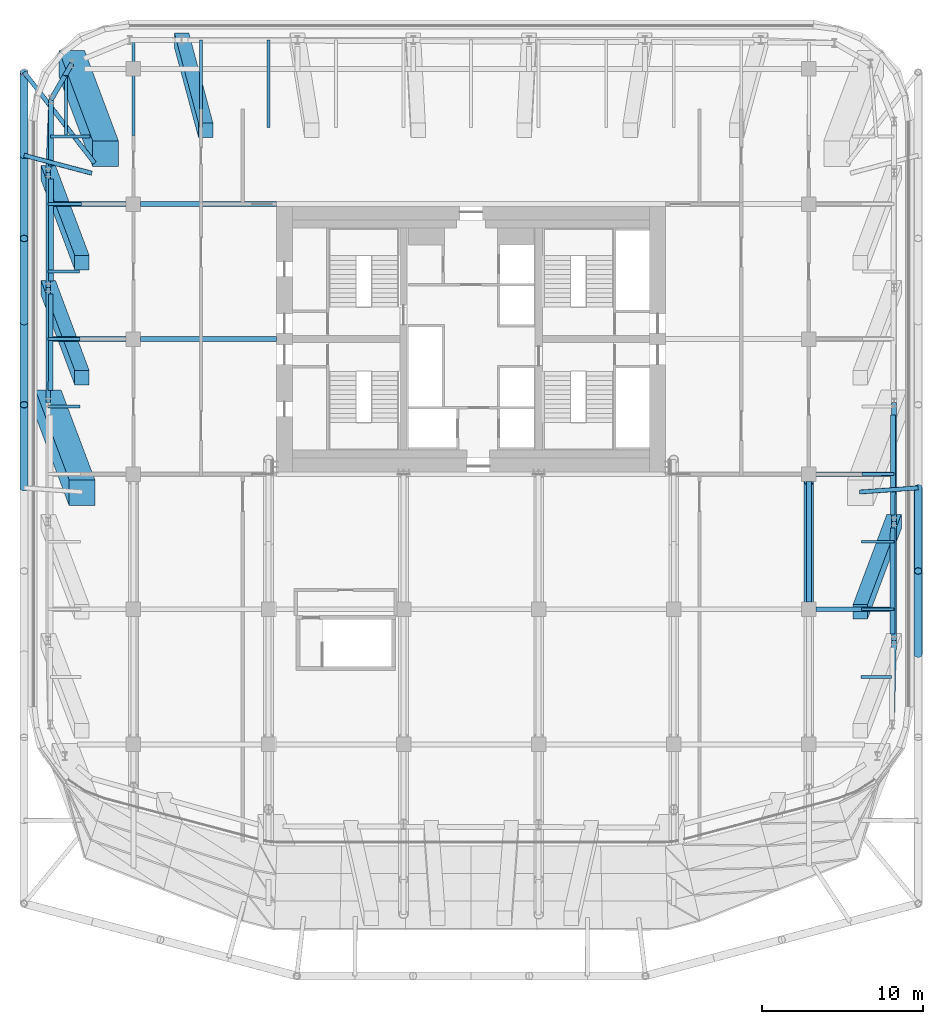
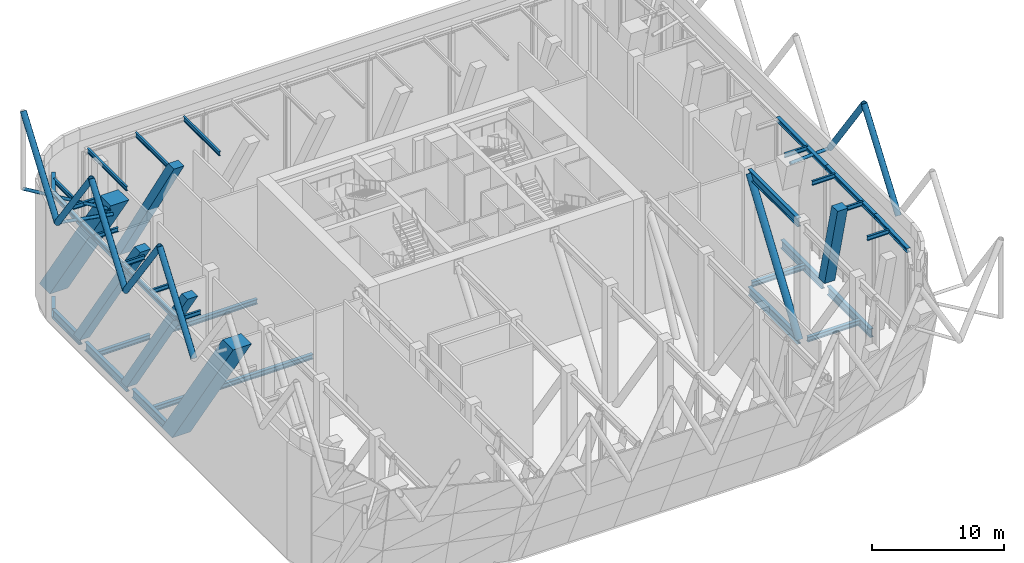
# One storey, part 6 of 20: 35 beams, 16 members.
"""IFC4 building model written with IfcOpenShell, lengths in metres."""

from ifc_helpers import new_model, si_unit, direction, frame, origin, origin_2d, place, context, subcontext, project, spatial, rectangle, hollow_circle, i_section, extrude, material, material_profile, profile_set, type_object, element, save


model = new_model("IFC4")

# Units and contexts
model_context = context("Model", 3, precision=1e-05, world=origin(), true_north=direction((0.0, 1.0)))
body_context = subcontext(model_context, "Body", "Model", "MODEL_VIEW")
ifc_project = project(units=[si_unit("LENGTHUNIT", "METRE"), si_unit("AREAUNIT", "SQUARE_METRE"), si_unit("VOLUMEUNIT", "CUBIC_METRE"), si_unit("PLANEANGLEUNIT", "RADIAN"), si_unit("MASSUNIT", "GRAM", prefix="KILO")], contexts=[model_context])

# Site, building, storey
site_placement = place(None, origin())
site = spatial("IfcSite", under=ifc_project, at=site_placement, CompositionType="ELEMENT")
building_placement = place(site_placement, origin())
building = spatial("IfcBuilding", under=site, at=building_placement, Name="Marenta Gate Hotel Tower", CompositionType="ELEMENT")
storey_placement = place(building_placement, frame((0.0, 0.0, 169.699951171875)))
storey = spatial("IfcBuildingStorey", under=building, at=storey_placement, Name="L40", CompositionType="ELEMENT", Elevation=169.699951171875)

# Members
ifc_material_1 = material(Name="Steel S355J2W", Category="steel")
ifc_material_profile_1 = material_profile(ifc_material_1, hollow_circle(Radius=0.25390625, WallThickness=0.02490234375, at=origin_2d()), Name="CHS 508x25")
ifc_profile_set_1 = profile_set([ifc_material_profile_1], Name="Steel S355J2W")
member_type_1 = type_object("IfcMemberType", Name="Diagrid diagonal Z3 CHS 508x25", PredefinedType="BRACE", material=ifc_profile_set_1)
member_1_placement = place(storey_placement, frame((27.800048828125, -0.85009765625, 10.340087890625), z_axis=(0.0, -0.583260841117, 0.812284919975), x_axis=(1.0, 0.0, 0.0)))
element("IfcMember", 1, at=member_1_placement, inside=storey, type_object=member_type_1, Name="L40-DG-6", PredefinedType="BRACE", context=body_context, shape_type="SweptSolid", body=[
    extrude(hollow_circle(Radius=0.25390625, WallThickness=0.02490234375, at=origin_2d()), origin(), (0.0, 0.0, 1.0), 8.86376953125),
])
member_2_placement = place(storey_placement, frame((27.800048828125, -11.190185546875, 10.340087890625), z_axis=(0.0, 0.583279014058, 0.812271870595), x_axis=(-1.0, 0.0, 0.0)))
element("IfcMember", 2, at=member_2_placement, inside=storey, type_object=member_type_1, Name="L40-DG-7", PredefinedType="BRACE", context=body_context, shape_type="SweptSolid", body=[
    extrude(hollow_circle(Radius=0.25390625, WallThickness=0.02490234375, at=origin_2d()), origin(), (0.0, 0.0, 1.0), 8.864013671875),
])
member_3_placement = place(storey_placement, frame((-27.800048828125, -0.85009765625, 10.340087890625), z_axis=(0.0, 0.583260841117, 0.812284919975), x_axis=(-1.0, 0.0, 0.0)))
element("IfcMember", 3, at=member_3_placement, inside=storey, type_object=member_type_1, Name="L40-DG-30", PredefinedType="BRACE", context=body_context, shape_type="SweptSolid", body=[
    extrude(hollow_circle(Radius=0.25390625, WallThickness=0.02490234375, at=origin_2d()), origin(), (0.0, 0.0, 1.0), 8.86376953125),
])
member_4_placement = place(storey_placement, frame((-27.800048828125, 9.489990234375, 10.340087890625), z_axis=(0.0, -0.583279014058, 0.812271870595), x_axis=(1.0, 0.0, 0.0)))
element("IfcMember", 4, at=member_4_placement, inside=storey, type_object=member_type_1, Name="L40-DG-31", PredefinedType="BRACE", context=body_context, shape_type="SweptSolid", body=[
    extrude(hollow_circle(Radius=0.25390625, WallThickness=0.02490234375, at=origin_2d()), origin(), (0.0, 0.0, 1.0), 8.864013671875),
])
member_5_placement = place(storey_placement, frame((-27.800048828125, 9.489990234375, 10.340087890625), z_axis=(0.0, 0.583260841117, 0.812284919975), x_axis=(-1.0, 0.0, 0.0)))
element("IfcMember", 5, at=member_5_placement, inside=storey, type_object=member_type_1, Name="L40-DG-32", PredefinedType="BRACE", context=body_context, shape_type="SweptSolid", body=[
    extrude(hollow_circle(Radius=0.25390625, WallThickness=0.02490234375, at=origin_2d()), origin(), (0.0, 0.0, 1.0), 8.86376953125),
])
member_6_placement = place(storey_placement, frame((-27.800048828125, 19.830078125, 10.340087890625), z_axis=(0.0, -0.583279014058, 0.812271870595), x_axis=(1.0, 0.0, 0.0)))
element("IfcMember", 6, at=member_6_placement, inside=storey, type_object=member_type_1, Name="L40-DG-33", PredefinedType="BRACE", context=body_context, shape_type="SweptSolid", body=[
    extrude(hollow_circle(Radius=0.25390625, WallThickness=0.02490234375, at=origin_2d()), origin(), (0.0, 0.0, 1.0), 8.864013671875),
])
member_7_placement = place(storey_placement, frame((-27.800048828125, 19.830078125, 10.340087890625), z_axis=(0.0, 0.583260841117, 0.812284919975), x_axis=(-1.0, 0.0, 0.0)))
element("IfcMember", 7, at=member_7_placement, inside=storey, type_object=member_type_1, Name="L40-DG-34", PredefinedType="BRACE", context=body_context, shape_type="SweptSolid", body=[
    extrude(hollow_circle(Radius=0.25390625, WallThickness=0.02490234375, at=origin_2d()), origin(), (0.0, 0.0, 1.0), 8.86376953125),
])

# Beams
ifc_material_2 = material(Name="Steel S355", Category="steel")
ifc_material_profile_2 = material_profile(ifc_material_2, i_section(OverallWidth=0.302978515625, OverallDepth=0.81396484375, WebThickness=0.030029296875, FlangeThickness=0.052001953125, FilletRadius=0.030029296875, at=origin_2d()), Name="HEM 800")
ifc_profile_set_2 = profile_set([ifc_material_profile_2], Name="Steel S355")
beam_type_1 = type_object("IfcBeamType", Name="Edge beam HEM 800", PredefinedType="SPANDREL", material=ifc_profile_set_2)
beam_1_placement = place(storey_placement, frame((-26.146484375, 5.2099609375, -0.70703125), z_axis=(0.001387357379, 0.999999037619, 0.0), x_axis=(-0.999999037619, 0.001387357379, 0.0)))
element("IfcBeam", 8, at=beam_1_placement, inside=storey, type_object=beam_type_1, Name="L40-EB-8", PredefinedType="SPANDREL", context=body_context, shape_type="SweptSolid", body=[
    extrude(i_section(OverallWidth=0.302978515625, OverallDepth=0.81396484375, WebThickness=0.030029296875, FlangeThickness=0.052001953125, FilletRadius=0.030029296875, at=origin_2d()), origin(), (0.0, 0.0, 1.0), 5.983154296875),
])
beam_2_placement = place(storey_placement, frame((-26.136962890625, 12.01318359375, -0.70703125), z_axis=(0.001387763206, 0.999999037056, 0.0), x_axis=(-0.999999037056, 0.001387763206, 0.0)))
element("IfcBeam", 9, at=beam_2_placement, inside=storey, type_object=beam_type_1, Name="L40-EB-9", PredefinedType="SPANDREL", context=body_context, shape_type="SweptSolid", body=[
    extrude(i_section(OverallWidth=0.302978515625, OverallDepth=0.81396484375, WebThickness=0.030029296875, FlangeThickness=0.052001953125, FilletRadius=0.030029296875, at=origin_2d()), origin(), (0.0, 0.0, 1.0), 6.333251953125),
])
beam_3_placement = place(storey_placement, frame((-26.126953125, 19.16650390625, -0.70703125), z_axis=(0.001361187116, 0.999999073584, 0.0), x_axis=(-0.999999073584, 0.001361187116, 0.0)))
element("IfcBeam", 10, at=beam_3_placement, inside=storey, type_object=beam_type_1, Name="L40-EB-10", PredefinedType="SPANDREL", context=body_context, shape_type="SweptSolid", body=[
    extrude(i_section(OverallWidth=0.302978515625, OverallDepth=0.81396484375, WebThickness=0.030029296875, FlangeThickness=0.052001953125, FilletRadius=0.030029296875, at=origin_2d()), origin(), (0.0, 0.0, 1.0), 4.125244140625),
])
beam_4_placement = place(storey_placement, frame((-26.121337890625, 23.291748046875, -0.70703125), z_axis=(0.500015459501, 0.866016478054, 0.0), x_axis=(-0.866016478054, 0.500015459501, 0.0)))
element("IfcBeam", 11, at=beam_4_placement, inside=storey, type_object=beam_type_1, Name="L40-EB-11", PredefinedType="SPANDREL", context=body_context, shape_type="SweptSolid", body=[
    extrude(i_section(OverallWidth=0.302978515625, OverallDepth=0.81396484375, WebThickness=0.030029296875, FlangeThickness=0.052001953125, FilletRadius=0.030029296875, at=origin_2d()), origin(), (0.0, 0.0, 1.0), 1.70703125),
])
beam_5_placement = place(storey_placement, frame((26.2392578125, 3.68994140625, -0.70703125), z_axis=(-0.003330441525, -0.999994454064, 0.0), x_axis=(0.999994454064, -0.003330441525, 0.0)))
element("IfcBeam", 12, at=beam_5_placement, inside=storey, type_object=beam_type_1, Name="L40-EB-25", PredefinedType="SPANDREL", context=body_context, shape_type="SweptSolid", body=[
    extrude(i_section(OverallWidth=0.302978515625, OverallDepth=0.81396484375, WebThickness=0.030029296875, FlangeThickness=0.052001953125, FilletRadius=0.030029296875, at=origin_2d()), origin(), (0.0, 0.0, 1.0), 6.23095703125),
])
beam_6_placement = place(storey_placement, frame((26.2158203125, -3.36083984375, -0.70703125), z_axis=(-0.00333875569, -0.99999442634, 0.0), x_axis=(0.99999442634, -0.00333875569, 0.0)))
element("IfcBeam", 13, at=beam_6_placement, inside=storey, type_object=beam_type_1, Name="L40-EB-26", PredefinedType="SPANDREL", context=body_context, shape_type="SweptSolid", body=[
    extrude(i_section(OverallWidth=0.302978515625, OverallDepth=0.81396484375, WebThickness=0.030029296875, FlangeThickness=0.052001953125, FilletRadius=0.030029296875, at=origin_2d()), origin(), (0.0, 0.0, 1.0), 6.5810546875),
])

# Members
ifc_material_3 = material(Name="Concrete C70", Category="concrete")
ifc_material_profile_3 = material_profile(ifc_material_3, rectangle(XDim=0.89990234375, YDim=0.89990234375, at=origin_2d()), Name="900 x 900")
ifc_profile_set_3 = profile_set([ifc_material_profile_3], Name="Concrete C70")
member_type_2 = type_object("IfcMemberType", Name="Edge column raked 900 x 900 C70", PredefinedType="STRUT", material=ifc_profile_set_3)
member_8_placement = place(storey_placement, frame((-26.300048828125, 11.603271484375, 0.0), z_axis=(0.0, 0.0, 1.0), x_axis=(1.0, 0.0, 0.0)))
element("IfcMember", 14, at=member_8_placement, inside=storey, type_object=member_type_2, Name="L40-EC-W-NW-1", PredefinedType="STRUT", context=body_context, shape_type="SweptSolid", body=[
    extrude(rectangle(XDim=0.89990234375, YDim=0.89990234375, at=origin_2d()), origin(), (0.170109713578, -0.45361271914, 0.874813229427), 12.345458984375),
])
member_9_placement = place(storey_placement, frame((-26.300048828125, 18.75634765625, 0.0), z_axis=(0.0, 0.0, 1.0), x_axis=(1.0, 0.0, 0.0)))
element("IfcMember", 15, at=member_9_placement, inside=storey, type_object=member_type_2, Name="L40-EC-W-NW-2", PredefinedType="STRUT", context=body_context, shape_type="SweptSolid", body=[
    extrude(rectangle(XDim=0.89990234375, YDim=0.89990234375, at=origin_2d()), origin(), (0.170111239528, -0.453597012445, 0.874821076842), 12.345458984375),
])
member_10_placement = place(storey_placement, frame((-18.0068359375, 27.0, 0.0), z_axis=(0.0, 0.0, 1.0), x_axis=(1.0, 0.0, 0.0)))
element("IfcMember", 16, at=member_10_placement, inside=storey, type_object=member_type_2, Name="L40-EC-NW-NE-1", PredefinedType="STRUT", context=body_context, shape_type="SweptSolid", body=[
    extrude(rectangle(XDim=0.89990234375, YDim=0.89990234375, at=origin_2d()), origin(), (0.122371677564, -0.456862229812, 0.881080061914), 12.2578125),
])
member_11_placement = place(storey_placement, frame((26.300048828125, -2.950927734375, 0.0), z_axis=(0.0, 0.0, 1.0), x_axis=(1.0, 0.0, 0.0)))
element("IfcMember", 17, at=member_11_placement, inside=storey, type_object=member_type_2, Name="L40-EC-E-SE-1", PredefinedType="STRUT", context=body_context, shape_type="SweptSolid", body=[
    extrude(rectangle(XDim=0.89990234375, YDim=0.89990234375, at=origin_2d()), origin(), (-0.170111239528, -0.453597012445, 0.874821076842), 12.345458984375),
])
ifc_material_4 = material(Name="Steel S355J2W", Category="steel")
ifc_material_profile_4 = material_profile(ifc_material_4, hollow_circle(Radius=0.136474609375, WallThickness=0.012451171875, at=origin_2d()), Name="CHS 273x12.5")
ifc_profile_set_4 = profile_set([ifc_material_profile_4], Name="Steel S355J2W")
member_type_3 = type_object("IfcMemberType", Name="Floor tie CHS 273x12.5", PredefinedType="STRUT", material=ifc_profile_set_4)
member_12_placement = place(storey_placement, frame((27.800048828125, -0.85009765625, 10.340087890625), z_axis=(-0.997491170769, -0.070790989803, 0.0), x_axis=(0.070790989803, -0.997491170769, 0.0)))
element("IfcMember", 18, at=member_12_placement, inside=storey, type_object=member_type_3, Name="L40-DR-9", PredefinedType="STRUT", context=body_context, shape_type="SweptSolid", body=[
    extrude(hollow_circle(Radius=0.136474609375, WallThickness=0.012451171875, at=origin_2d()), origin(), (0.0, 0.0, 1.0), 3.65234375),
])
member_13_placement = place(storey_placement, frame((-27.800048828125, 19.830078125, 10.340087890625), z_axis=(0.966765507576, -0.255664728426, 0.0), x_axis=(0.255664728426, 0.966765507576, 0.0)))
element("IfcMember", 19, at=member_13_placement, inside=storey, type_object=member_type_3, Name="L40-DR-21", PredefinedType="STRUT", context=body_context, shape_type="SweptSolid", body=[
    extrude(hollow_circle(Radius=0.136474609375, WallThickness=0.012451171875, at=origin_2d()), origin(), (0.0, 0.0, 1.0), 4.359130859375),
])
member_14_placement = place(storey_placement, frame((-27.800048828125, 25.0, 10.340087890625), z_axis=(0.612606853959, -0.790387779816, 0.0), x_axis=(0.790387779816, 0.612606853959, 0.0)))
element("IfcMember", 20, at=member_14_placement, inside=storey, type_object=member_type_3, Name="L40-DR-22", PredefinedType="STRUT", context=body_context, shape_type="SweptSolid", body=[
    extrude(hollow_circle(Radius=0.136474609375, WallThickness=0.012451171875, at=origin_2d()), origin(), (0.0, 0.0, 1.0), 7.15185546875),
])

# Beams
ifc_material_5 = material(Name="Steel S355", Category="steel")
ifc_material_profile_5 = material_profile(ifc_material_5, i_section(OverallWidth=0.300048828125, OverallDepth=0.449951171875, WebThickness=0.013916015625, FlangeThickness=0.02587890625, FilletRadius=0.027099609375, at=origin_2d()), Name="HEB 450")
ifc_profile_set_5 = profile_set([ifc_material_profile_5], Name="Steel S355")
beam_type_2 = type_object("IfcBeamType", Name="Girder HEB 450", PredefinedType="BEAM", material=ifc_profile_set_5)
beam_7_placement = place(storey_placement, frame((21.449951171875, -8.39990234375, -0.52490234375), z_axis=(1.0, 0.0, 0.0), x_axis=(0.0, 1.0, 0.0)))
element("IfcBeam", 21, at=beam_7_placement, inside=storey, type_object=beam_type_2, Name="L40-GD-14", PredefinedType="BEAM", context=body_context, shape_type="SweptSolid", body=[
    extrude(i_section(OverallWidth=0.300048828125, OverallDepth=0.449951171875, WebThickness=0.013916015625, FlangeThickness=0.02587890625, FilletRadius=0.027099609375, at=origin_2d()), origin(), (0.0, 0.0, 1.0), 4.59765625),
])
beam_8_placement = place(storey_placement, frame((21.449951171875, 0.0, -0.52490234375), z_axis=(1.0, 0.0, 0.0), x_axis=(0.0, 1.0, 0.0)))
element("IfcBeam", 22, at=beam_8_placement, inside=storey, type_object=beam_type_2, Name="L40-GD-21", PredefinedType="BEAM", context=body_context, shape_type="SweptSolid", body=[
    extrude(i_section(OverallWidth=0.300048828125, OverallDepth=0.449951171875, WebThickness=0.013916015625, FlangeThickness=0.02587890625, FilletRadius=0.027099609375, at=origin_2d()), origin(), (0.0, 0.0, 1.0), 4.62548828125),
])
beam_9_placement = place(storey_placement, frame((-25.990478515625, 8.39990234375, -0.52490234375), z_axis=(1.0, 0.0, 0.0), x_axis=(0.0, 1.0, 0.0)))
element("IfcBeam", 23, at=beam_9_placement, inside=storey, type_object=beam_type_2, Name="L40-GD-22", PredefinedType="BEAM", context=body_context, shape_type="SweptSolid", body=[
    extrude(i_section(OverallWidth=0.300048828125, OverallDepth=0.449951171875, WebThickness=0.013916015625, FlangeThickness=0.02587890625, FilletRadius=0.027099609375, at=origin_2d()), origin(), (0.0, 0.0, 1.0), 4.54052734375),
])
beam_10_placement = place(storey_placement, frame((-20.550048828125, 8.39990234375, -0.52490234375), z_axis=(1.0, 0.0, 0.0), x_axis=(0.0, 1.0, 0.0)))
element("IfcBeam", 24, at=beam_10_placement, inside=storey, type_object=beam_type_2, Name="L40-GD-23", PredefinedType="BEAM", context=body_context, shape_type="SweptSolid", body=[
    extrude(i_section(OverallWidth=0.300048828125, OverallDepth=0.449951171875, WebThickness=0.013916015625, FlangeThickness=0.02587890625, FilletRadius=0.027099609375, at=origin_2d()), origin(), (0.0, 0.0, 1.0), 8.449951171875),
])
beam_11_placement = place(storey_placement, frame((-25.978759765625, 16.800048828125, -0.52490234375), z_axis=(1.0, 0.0, 0.0), x_axis=(0.0, 1.0, 0.0)))
element("IfcBeam", 25, at=beam_11_placement, inside=storey, type_object=beam_type_2, Name="L40-GD-26", PredefinedType="BEAM", context=body_context, shape_type="SweptSolid", body=[
    extrude(i_section(OverallWidth=0.300048828125, OverallDepth=0.449951171875, WebThickness=0.013916015625, FlangeThickness=0.02587890625, FilletRadius=0.027099609375, at=origin_2d()), origin(), (0.0, 0.0, 1.0), 4.52880859375),
])
beam_12_placement = place(storey_placement, frame((-20.550048828125, 16.800048828125, -0.52490234375), z_axis=(1.0, 0.0, 0.0), x_axis=(0.0, 1.0, 0.0)))
element("IfcBeam", 26, at=beam_12_placement, inside=storey, type_object=beam_type_2, Name="L40-GD-27", PredefinedType="BEAM", context=body_context, shape_type="SweptSolid", body=[
    extrude(i_section(OverallWidth=0.300048828125, OverallDepth=0.449951171875, WebThickness=0.013916015625, FlangeThickness=0.02587890625, FilletRadius=0.027099609375, at=origin_2d()), origin(), (0.0, 0.0, 1.0), 8.449951171875),
])

# Members
ifc_material_6 = material(Name="Concrete C70", Category="concrete")
ifc_material_profile_6 = material_profile(ifc_material_6, rectangle(XDim=1.60009765625, YDim=1.60009765625, at=origin_2d()), Name="1600 x 1600")
ifc_profile_set_6 = profile_set([ifc_material_profile_6], Name="Concrete C70")
member_type_4 = type_object("IfcMemberType", Name="Mega column raked 1600 x 1600 C70", PredefinedType="STRUT", material=ifc_profile_set_6)
member_15_placement = place(storey_placement, frame((-24.83544921875, 25.535400390625, 0.0), z_axis=(0.0, 0.0, 1.0), x_axis=(1.0, 0.0, 0.0)))
element("IfcMember", 27, at=member_15_placement, inside=storey, type_object=member_type_4, Name="L40-MC-NW", PredefinedType="STRUT", context=body_context, shape_type="SweptSolid", body=[
    extrude(rectangle(XDim=1.60009765625, YDim=1.60009765625, at=origin_2d()), origin(), (0.170092035922, -0.453598538302, 0.874824019656), 12.345458984375),
])
member_16_placement = place(storey_placement, frame((-26.300048828125, 4.449951171875, 0.0), z_axis=(0.0, 0.0, 1.0), x_axis=(1.0, 0.0, 0.0)))
element("IfcMember", 28, at=member_16_placement, inside=storey, type_object=member_type_4, Name="L40-MC-W", PredefinedType="STRUT", context=body_context, shape_type="SweptSolid", body=[
    extrude(rectangle(XDim=1.60009765625, YDim=1.60009765625, at=origin_2d()), origin(), (0.170111239528, -0.453597012445, 0.874821076842), 12.345458984375),
])

# Beams
ifc_material_7 = material(Name="Steel S355", Category="steel")
ifc_material_profile_7 = material_profile(ifc_material_7, i_section(OverallWidth=0.302978515625, OverallDepth=0.81396484375, WebThickness=0.030029296875, FlangeThickness=0.052001953125, FilletRadius=0.030029296875, at=origin_2d()), Name="HEM 800")
ifc_profile_set_7 = profile_set([ifc_material_profile_7], Name="Steel S355")
beam_type_3 = type_object("IfcBeamType", Name="Outrigger truss chord HEM 800", PredefinedType="BEAM", material=ifc_profile_set_7)
for number, where, z_axis, x_axis, name in (
    (29, (21.0, -0.449951171875, -0.70703125), (0.0, -1.0, 0.0), (1.0, 0.0, 0.0), "TC-HEM800 Outrigger truss T2-9 chord"),
    (30, (21.0, -0.449951171875, 10.133056640625), (0.0, -1.0, 0.0), (1.0, 0.0, 0.0), "TC-HEM800 Outrigger truss T2-9 chord"),
):
    element("IfcBeam", number, at=place(storey_placement, frame(where, z_axis=z_axis, x_axis=x_axis)), inside=storey, type_object=beam_type_3, Name=name, PredefinedType="BEAM", context=body_context, shape_type="SweptSolid", body=[
        extrude(i_section(OverallWidth=0.302978515625, OverallDepth=0.81396484375, WebThickness=0.030029296875, FlangeThickness=0.052001953125, FilletRadius=0.030029296875, at=origin_2d()), origin(), (0.0, 0.0, 1.0), 7.5),
    ])
ifc_material_8 = material(Name="Steel S355", Category="steel")
ifc_material_profile_8 = material_profile(ifc_material_8, hollow_circle(Radius=0.304931640625, WallThickness=0.0400390625, at=origin_2d()), Name="CHS 610x40")
ifc_profile_set_8 = profile_set([ifc_material_profile_8], Name="Steel S355")
beam_type_4 = type_object("IfcBeamType", Name="Outrigger truss diagonal CHS 610x40", PredefinedType="BEAM", material=ifc_profile_set_8)
beam_13_placement = place(storey_placement, frame((21.0, -0.449951171875, 10.133056640625), z_axis=(0.0, -0.568970142593, -0.82235818038), x_axis=(1.0, 0.0, 0.0)))
element("IfcBeam", 31, at=beam_13_placement, inside=storey, type_object=beam_type_4, Name="Outrigger truss T2-9 diagonal", PredefinedType="BEAM", context=body_context, shape_type="SweptSolid", body=[
    extrude(hollow_circle(Radius=0.304931640625, WallThickness=0.0400390625, at=origin_2d()), origin(), (0.0, 0.0, 1.0), 13.181640625),
])
ifc_material_9 = material(Name="Steel S355", Category="steel")
ifc_material_profile_9 = material_profile(ifc_material_9, i_section(OverallWidth=0.179931640625, OverallDepth=0.39990234375, WebThickness=0.008544921875, FlangeThickness=0.013427734375, FilletRadius=0.02099609375, at=origin_2d()), Name="IPE 400")
ifc_profile_set_9 = profile_set([ifc_material_profile_9], Name="Steel S355")
beam_type_5 = type_object("IfcBeamType", Name="Terrace beam IPE 400", PredefinedType="JOIST", material=ifc_profile_set_9)
beam_14_placement = place(storey_placement, frame((-25.199951171875, 21.090087890625, 10.340087890625), z_axis=(0.0, 1.0, 0.0), x_axis=(-1.0, 0.0, 0.0)))
element("IfcBeam", 32, at=beam_14_placement, inside=storey, type_object=beam_type_5, Name="L40-TB-1", PredefinedType="JOIST", context=body_context, shape_type="SweptSolid", body=[
    extrude(i_section(OverallWidth=0.179931640625, OverallDepth=0.39990234375, WebThickness=0.008544921875, FlangeThickness=0.013427734375, FilletRadius=0.02099609375, at=origin_2d()), origin(), (0.0, 0.0, 1.0), 3.708251953125),
])
beam_15_placement = place(storey_placement, frame((-21.0, 21.062744140625, 10.340087890625), z_axis=(0.0, 1.0, 0.0), x_axis=(-1.0, 0.0, 0.0)))
element("IfcBeam", 33, at=beam_15_placement, inside=storey, type_object=beam_type_5, Name="L40-TB-2", PredefinedType="JOIST", context=body_context, shape_type="SweptSolid", body=[
    extrude(i_section(OverallWidth=0.179931640625, OverallDepth=0.39990234375, WebThickness=0.008544921875, FlangeThickness=0.013427734375, FilletRadius=0.02099609375, at=origin_2d()), origin(), (0.0, 0.0, 1.0), 5.937255859375),
])
for number, where, z_axis, x_axis, name in (
    (34, (-16.800048828125, 21.551025390625, 10.340087890625), (0.0, 1.0, 0.0), (-1.0, 0.0, 0.0), "L40-TB-3"),
    (35, (-12.60009765625, 21.551025390625, 10.340087890625), (0.0, 1.0, 0.0), (-1.0, 0.0, 0.0), "L40-TB-4"),
):
    element("IfcBeam", number, at=place(storey_placement, frame(where, z_axis=z_axis, x_axis=x_axis)), inside=storey, type_object=beam_type_5, Name=name, PredefinedType="JOIST", context=body_context, shape_type="SweptSolid", body=[
        extrude(i_section(OverallWidth=0.179931640625, OverallDepth=0.39990234375, WebThickness=0.008544921875, FlangeThickness=0.013427734375, FilletRadius=0.02099609375, at=origin_2d()), origin(), (0.0, 0.0, 1.0), 5.448974609375),
    ])
beam_16_placement = place(storey_placement, frame((24.254638671875, -12.60009765625, 10.340087890625), z_axis=(1.0, 0.0, 0.0), x_axis=(0.0, 1.0, 0.0)))
element("IfcBeam", 36, at=beam_16_placement, inside=storey, type_object=beam_type_5, Name="L40-TB-14", PredefinedType="JOIST", context=body_context, shape_type="SweptSolid", body=[
    extrude(i_section(OverallWidth=0.179931640625, OverallDepth=0.39990234375, WebThickness=0.008544921875, FlangeThickness=0.013427734375, FilletRadius=0.02099609375, at=origin_2d()), origin(), (0.0, 0.0, 1.0), 1.894287109375),
])
beam_17_placement = place(storey_placement, frame((24.2685546875, -8.39990234375, 10.340087890625), z_axis=(1.0, 0.0, 0.0), x_axis=(0.0, 1.0, 0.0)))
element("IfcBeam", 37, at=beam_17_placement, inside=storey, type_object=beam_type_5, Name="L40-TB-15", PredefinedType="JOIST", context=body_context, shape_type="SweptSolid", body=[
    extrude(i_section(OverallWidth=0.179931640625, OverallDepth=0.39990234375, WebThickness=0.008544921875, FlangeThickness=0.013427734375, FilletRadius=0.02099609375, at=origin_2d()), origin(), (0.0, 0.0, 1.0), 2.031494140625),
])
beam_18_placement = place(storey_placement, frame((24.28271484375, -4.199951171875, 10.340087890625), z_axis=(1.0, 0.0, 0.0), x_axis=(0.0, 1.0, 0.0)))
element("IfcBeam", 38, at=beam_18_placement, inside=storey, type_object=beam_type_5, Name="L40-TB-16", PredefinedType="JOIST", context=body_context, shape_type="SweptSolid", body=[
    extrude(i_section(OverallWidth=0.179931640625, OverallDepth=0.39990234375, WebThickness=0.008544921875, FlangeThickness=0.013427734375, FilletRadius=0.02099609375, at=origin_2d()), origin(), (0.0, 0.0, 1.0), 2.017333984375),
])
beam_19_placement = place(storey_placement, frame((24.296630859375, 0.0, 10.340087890625), z_axis=(1.0, 0.0, 0.0), x_axis=(0.0, 1.0, 0.0)))
element("IfcBeam", 39, at=beam_19_placement, inside=storey, type_object=beam_type_5, Name="L40-TB-17", PredefinedType="JOIST", context=body_context, shape_type="SweptSolid", body=[
    extrude(i_section(OverallWidth=0.179931640625, OverallDepth=0.39990234375, WebThickness=0.008544921875, FlangeThickness=0.013427734375, FilletRadius=0.02099609375, at=origin_2d()), origin(), (0.0, 0.0, 1.0), 2.00341796875),
])
beam_20_placement = place(storey_placement, frame((-26.300048828125, 4.199951171875, 10.340087890625), z_axis=(1.0, 0.0, 0.0), x_axis=(0.0, 1.0, 0.0)))
element("IfcBeam", 40, at=beam_20_placement, inside=storey, type_object=beam_type_5, Name="L40-TB-27", PredefinedType="JOIST", context=body_context, shape_type="SweptSolid", body=[
    extrude(i_section(OverallWidth=0.179931640625, OverallDepth=0.39990234375, WebThickness=0.008544921875, FlangeThickness=0.013427734375, FilletRadius=0.02099609375, at=origin_2d()), origin(), (0.0, 0.0, 1.0), 1.989501953125),
])
beam_21_placement = place(storey_placement, frame((-26.300048828125, 8.39990234375, 10.340087890625), z_axis=(1.0, 0.0, 0.0), x_axis=(0.0, 1.0, 0.0)))
element("IfcBeam", 41, at=beam_21_placement, inside=storey, type_object=beam_type_5, Name="L40-TB-28", PredefinedType="JOIST", context=body_context, shape_type="SweptSolid", body=[
    extrude(i_section(OverallWidth=0.179931640625, OverallDepth=0.39990234375, WebThickness=0.008544921875, FlangeThickness=0.013427734375, FilletRadius=0.02099609375, at=origin_2d()), origin(), (0.0, 0.0, 1.0), 1.9755859375),
])
beam_22_placement = place(storey_placement, frame((-26.300048828125, 12.60009765625, 10.340087890625), z_axis=(1.0, 0.0, 0.0), x_axis=(0.0, 1.0, 0.0)))
element("IfcBeam", 42, at=beam_22_placement, inside=storey, type_object=beam_type_5, Name="L40-TB-29", PredefinedType="JOIST", context=body_context, shape_type="SweptSolid", body=[
    extrude(i_section(OverallWidth=0.179931640625, OverallDepth=0.39990234375, WebThickness=0.008544921875, FlangeThickness=0.013427734375, FilletRadius=0.02099609375, at=origin_2d()), origin(), (0.0, 0.0, 1.0), 1.96142578125),
])
beam_23_placement = place(storey_placement, frame((-26.300048828125, 16.800048828125, 10.340087890625), z_axis=(1.0, 0.0, 0.0), x_axis=(0.0, 1.0, 0.0)))
element("IfcBeam", 43, at=beam_23_placement, inside=storey, type_object=beam_type_5, Name="L40-TB-30", PredefinedType="JOIST", context=body_context, shape_type="SweptSolid", body=[
    extrude(i_section(OverallWidth=0.179931640625, OverallDepth=0.39990234375, WebThickness=0.008544921875, FlangeThickness=0.013427734375, FilletRadius=0.02099609375, at=origin_2d()), origin(), (0.0, 0.0, 1.0), 2.06689453125),
])
beam_24_placement = place(storey_placement, frame((-26.14892578125, 21.0, 10.340087890625), z_axis=(1.0, 0.0, 0.0), x_axis=(0.0, 1.0, 0.0)))
element("IfcBeam", 44, at=beam_24_placement, inside=storey, type_object=beam_type_5, Name="L40-TB-31", PredefinedType="JOIST", context=body_context, shape_type="SweptSolid", body=[
    extrude(i_section(OverallWidth=0.179931640625, OverallDepth=0.39990234375, WebThickness=0.008544921875, FlangeThickness=0.013427734375, FilletRadius=0.02099609375, at=origin_2d()), origin(), (0.0, 0.0, 1.0), 2.447998046875),
])
ifc_material_10 = material(Name="Steel S355", Category="steel")
ifc_material_profile_10 = material_profile(ifc_material_10, i_section(OverallWidth=0.300048828125, OverallDepth=0.39990234375, WebThickness=0.013427734375, FlangeThickness=0.02392578125, FilletRadius=0.027099609375, at=origin_2d()), Name="HEB 400")
ifc_profile_set_10 = profile_set([ifc_material_profile_10], Name="Steel S355")
beam_type_6 = type_object("IfcBeamType", Name="Terrace edge beam HEB 400", PredefinedType="SPANDREL", material=ifc_profile_set_10)
beam_25_placement = place(storey_placement, frame((-26.300048828125, 4.449951171875, 10.340087890625), z_axis=(0.0, 1.0, 0.0), x_axis=(-1.0, 0.0, 0.0)))
element("IfcBeam", 45, at=beam_25_placement, inside=storey, type_object=beam_type_6, Name="L40-TE-5", PredefinedType="SPANDREL", context=body_context, shape_type="SweptSolid", body=[
    extrude(i_section(OverallWidth=0.300048828125, OverallDepth=0.39990234375, WebThickness=0.013427734375, FlangeThickness=0.02392578125, FilletRadius=0.027099609375, at=origin_2d()), origin(), (0.0, 0.0, 1.0), 7.1533203125),
])
beam_26_placement = place(storey_placement, frame((-26.300048828125, 11.603271484375, 10.340087890625), z_axis=(0.0, 1.0, 0.0), x_axis=(-1.0, 0.0, 0.0)))
element("IfcBeam", 46, at=beam_26_placement, inside=storey, type_object=beam_type_6, Name="L40-TE-6", PredefinedType="SPANDREL", context=body_context, shape_type="SweptSolid", body=[
    extrude(i_section(OverallWidth=0.300048828125, OverallDepth=0.39990234375, WebThickness=0.013427734375, FlangeThickness=0.02392578125, FilletRadius=0.027099609375, at=origin_2d()), origin(), (0.0, 0.0, 1.0), 7.153076171875),
])
beam_27_placement = place(storey_placement, frame((-26.300048828125, 18.75634765625, 10.340087890625), z_axis=(0.039373009331, 0.999224582432, 0.0), x_axis=(-0.999224582432, 0.039373009331, 0.0)))
element("IfcBeam", 47, at=beam_27_placement, inside=storey, type_object=beam_type_6, Name="L40-TE-7", PredefinedType="SPANDREL", context=body_context, shape_type="SweptSolid", body=[
    extrude(i_section(OverallWidth=0.300048828125, OverallDepth=0.39990234375, WebThickness=0.013427734375, FlangeThickness=0.02392578125, FilletRadius=0.027099609375, at=origin_2d()), origin(), (0.0, 0.0, 1.0), 4.538818359375),
])
beam_28_placement = place(storey_placement, frame((-26.121337890625, 23.291748046875, 10.340087890625), z_axis=(0.500041441558, 0.866001476168, 0.0), x_axis=(-0.866001476168, 0.500041441558, 0.0)))
element("IfcBeam", 48, at=beam_28_placement, inside=storey, type_object=beam_type_6, Name="L40-TE-8", PredefinedType="SPANDREL", context=body_context, shape_type="SweptSolid", body=[
    extrude(i_section(OverallWidth=0.300048828125, OverallDepth=0.39990234375, WebThickness=0.013427734375, FlangeThickness=0.02392578125, FilletRadius=0.027099609375, at=origin_2d()), origin(), (0.0, 0.0, 1.0), 2.583740234375),
])
for number, where, z_axis, x_axis, name in (
    (49, (26.300048828125, 4.449951171875, 10.340087890625), (0.0, -1.0, 0.0), (1.0, 0.0, 0.0), "L40-TE-20"),
    (50, (26.300048828125, -2.950927734375, 10.340087890625), (0.0, -1.0, 0.0), (1.0, 0.0, 0.0), "L40-TE-21"),
):
    element("IfcBeam", number, at=place(storey_placement, frame(where, z_axis=z_axis, x_axis=x_axis)), inside=storey, type_object=beam_type_6, Name=name, PredefinedType="SPANDREL", context=body_context, shape_type="SweptSolid", body=[
        extrude(i_section(OverallWidth=0.300048828125, OverallDepth=0.39990234375, WebThickness=0.013427734375, FlangeThickness=0.02392578125, FilletRadius=0.027099609375, at=origin_2d()), origin(), (0.0, 0.0, 1.0), 7.40087890625),
    ])
beam_29_placement = place(storey_placement, frame((26.300048828125, -10.351806640625, 10.340087890625), z_axis=(-0.023960912032, -0.999712896133, 0.0), x_axis=(0.999712896133, -0.023960912032, 0.0)))
element("IfcBeam", 51, at=beam_29_placement, inside=storey, type_object=beam_type_6, Name="L40-TE-22", PredefinedType="SPANDREL", context=body_context, shape_type="SweptSolid", body=[
    extrude(i_section(OverallWidth=0.300048828125, OverallDepth=0.39990234375, WebThickness=0.013427734375, FlangeThickness=0.02392578125, FilletRadius=0.027099609375, at=origin_2d()), origin(), (0.0, 0.0, 1.0), 5.216796875),
])

save(model, "model.ifc")
